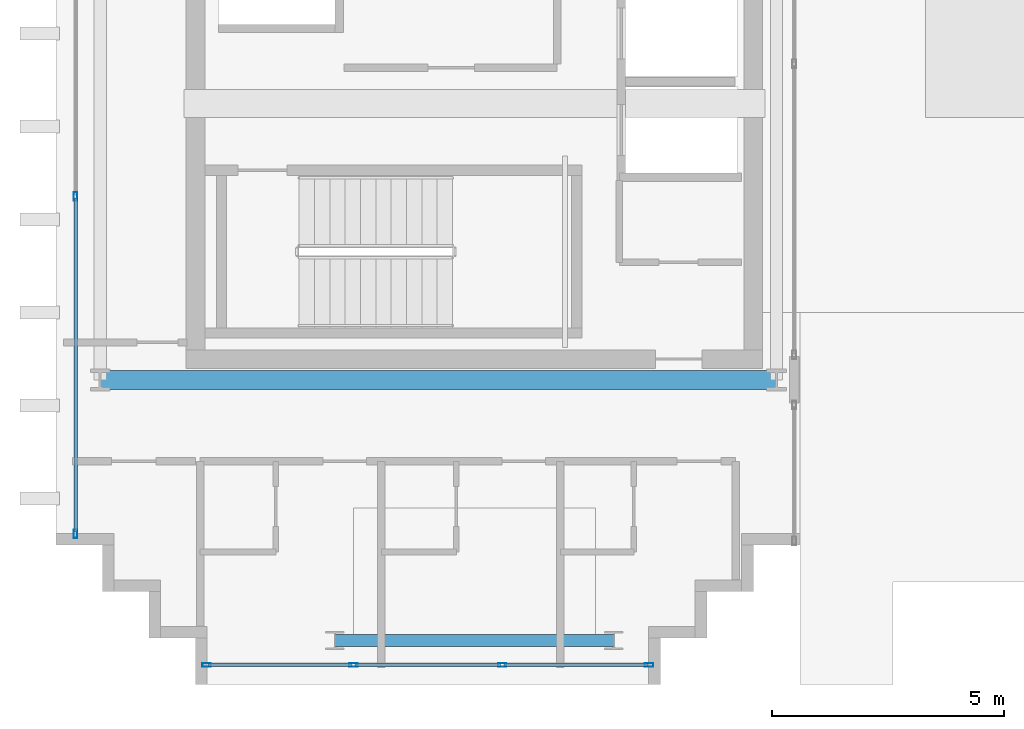
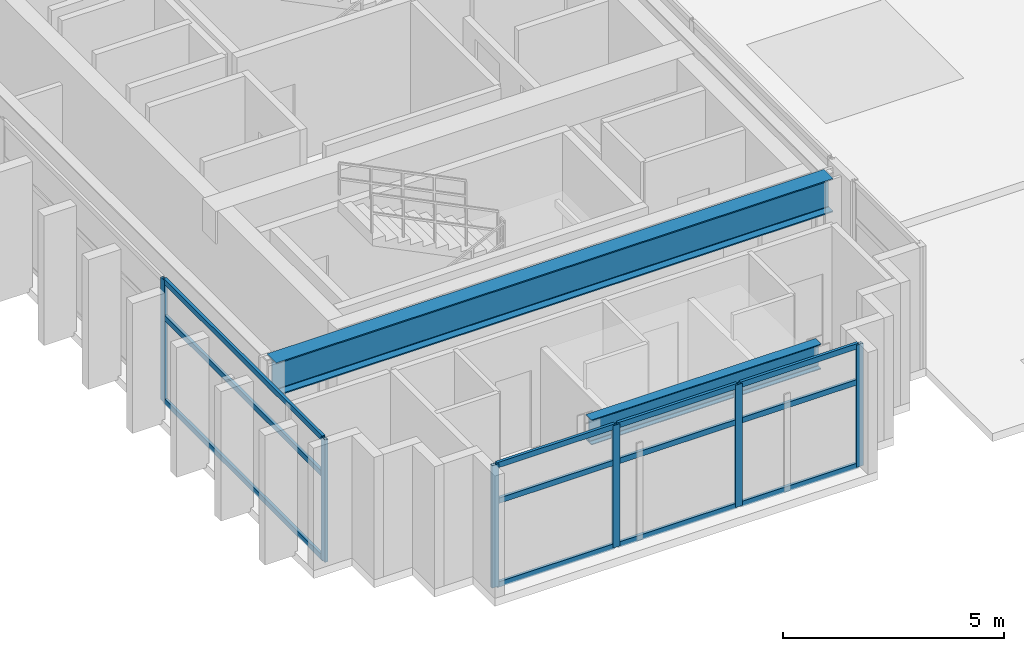
# One storey, part 2 of 25: 18 members, 2 beams, 2 elements without a shape of their own.
"""IFC4 building model written with IfcOpenShell, lengths in metres."""

from ifc_helpers import new_model, si_unit, direction, frame, origin, origin_2d, place, context, subcontext, project, spatial, hollow_rectangle, i_section, extrude, source, transform, mapped, material, layer, layer_set, material_profile, profile_set, type_object, element, aggregate, save


model = new_model("IFC4")

# Units and contexts
model_context = context("Model", 3, precision=1e-05, world=origin(), true_north=direction((0.0, 1.0)))
body_context = subcontext(model_context, "Body", "Model", "MODEL_VIEW")
ifc_project = project(units=[si_unit("LENGTHUNIT", "METRE"), si_unit("AREAUNIT", "SQUARE_METRE"), si_unit("VOLUMEUNIT", "CUBIC_METRE"), si_unit("PLANEANGLEUNIT", "RADIAN"), si_unit("MASSUNIT", "GRAM", prefix="KILO")], contexts=[model_context])

# Site, building, storey
site_placement = place(None, origin())
site = spatial("IfcSite", under=ifc_project, at=site_placement, CompositionType="ELEMENT")
building_placement = place(site_placement, origin())
building = spatial("IfcBuilding", under=site, at=building_placement, Name="Ocotamira Hotel", CompositionType="ELEMENT")
storey_placement = place(building_placement, frame((0.0, 0.0, 250.800048828125)))
storey = spatial("IfcBuildingStorey", under=building, at=storey_placement, Name="L63", CompositionType="ELEMENT", Elevation=250.800048828125)

# Beams
ifc_material_1 = material(Name="Steel ASTM A992 Grade 50", Category="steel")
ifc_material_profile_1 = material_profile(ifc_material_1, i_section(OverallWidth=0.41796875, OverallDepth=0.927001953125, WebThickness=0.019287109375, FlangeThickness=0.031982421875, FilletRadius=0.02392578125, at=origin_2d()), Name="W36X231")
ifc_profile_set_1 = profile_set([ifc_material_profile_1], Name="Steel ASTM A992 Grade 50")
beam_type_1 = type_object("IfcBeamType", Name="BM-GIRD-W36X231", PredefinedType="BEAM", material=ifc_profile_set_1)
shared_shape_1 = source(origin(), body_context, "Body", "SweptSolid", [
    extrude(i_section(OverallWidth=0.41796875, OverallDepth=0.927001953125, WebThickness=0.019287109375, FlangeThickness=0.031982421875, FilletRadius=0.02392578125, at=origin_2d()), origin(), (0.0, 0.0, 1.0), 14.550048828125),
])
beam_1_placement = place(storey_placement, frame((8.949951171875, 14.550048828125, 2.91650390625), z_axis=(1.0, 0.0, 0.0), x_axis=(0.0, 1.0, 0.0)))
element("IfcBeam", 1, at=beam_1_placement, inside=storey, type_object=beam_type_1, Name="L63 Girder Y14.55 X8.95-23.5", PredefinedType="BEAM", context=body_context, shape_type="MappedRepresentation", body=[
    mapped(shared_shape_1, transform((0.0, 0.0, 0.0), scale=1.0)),
])
ifc_material_profile_2 = material_profile(ifc_material_1, i_section(OverallWidth=0.256103515625, OverallDepth=0.693115234375, WebThickness=0.014404296875, FlangeThickness=0.023681640625, FilletRadius=0.01611328125, at=origin_2d()), Name="W27X114")
ifc_profile_set_2 = profile_set([ifc_material_profile_2], Name="Steel ASTM A992 Grade 50")
beam_type_2 = type_object("IfcBeamType", Name="BM-PRIM-W27X114", PredefinedType="BEAM", material=ifc_profile_set_2)
shared_shape_2 = source(origin(), body_context, "Body", "SweptSolid", [
    extrude(i_section(OverallWidth=0.256103515625, OverallDepth=0.693115234375, WebThickness=0.014404296875, FlangeThickness=0.023681640625, FilletRadius=0.01611328125, at=origin_2d()), origin(), (0.0, 0.0, 1.0), 6.0),
])
beam_2_placement = place(storey_placement, frame((14.0, 8.949951171875, 3.033447265625), z_axis=(1.0, 0.0, 0.0), x_axis=(0.0, 1.0, 0.0)))
element("IfcBeam", 2, at=beam_2_placement, inside=storey, type_object=beam_type_2, Name="L63 Girder Y8.95 X14-20", PredefinedType="BEAM", context=body_context, shape_type="MappedRepresentation", body=[
    mapped(shared_shape_2, transform((0.0, 0.0, 0.0), scale=1.0)),
])

# Curtain wall, members
ifc_material_2 = material(Name="Anodised pale-metal aluminium and solar glass", Category="aluminium")
ifc_layer = layer(ifc_material_2, 0.2099609375)
ifc_layer_set = layer_set([ifc_layer], Name="Anodised pale-metal aluminium and solar glass")
curtain_wall_type = type_object("IfcCurtainWallType", Name="CW-SYS7-PEAK", PredefinedType="NOTDEFINED", material=ifc_layer_set)
curtain_wall_1_placement = place(storey_placement, origin())
curtain_wall_1 = element("IfcCurtainWall", 3, at=curtain_wall_1_placement, inside=storey, type_object=curtain_wall_type, Name="L63 Curtain Wall CW-7 CW-L63-WS", PredefinedType="NOTDEFINED")
ifc_material_3 = material(Name="Anodised pale-metal aluminium 6063-T6", Category="aluminium")
ifc_material_profile_3 = material_profile(ifc_material_3, hollow_rectangle(XDim=0.080078125, YDim=0.179931640625, WallThickness=0.006103515625, at=origin_2d()), Name="HSS180X80X6")
ifc_profile_set_3 = profile_set([ifc_material_profile_3], Name="Anodised pale-metal aluminium 6063-T6")
member_type_1 = type_object("IfcMemberType", Name="CWM-180X75", PredefinedType="MULLION", material=ifc_profile_set_3)
shared_shape_3 = source(origin(), body_context, "Body", "SweptSolid", [
    extrude(hollow_rectangle(XDim=0.080078125, YDim=0.179931640625, WallThickness=0.006103515625, at=origin_2d()), origin(), (0.0, 0.0, 1.0), 3.3798828125),
])
member_1_placement = place(storey_placement, frame((11.239990234375, 8.419921875, 0.0), z_axis=(0.0, 0.0, 1.0), x_axis=(0.0, 1.0, 0.0)))
member_1 = element("IfcMember", 4, at=member_1_placement, type_object=member_type_1, Name="CW-7 mullion 1", PredefinedType="MULLION", context=body_context, shape_type="MappedRepresentation", body=[
    mapped(shared_shape_3, transform((0.0, 0.0, 0.0), scale=1.0)),
])
member_2_placement = place(storey_placement, frame((14.39990234375, 8.419921875, 0.0), z_axis=(0.0, 0.0, 1.0), x_axis=(0.0, 1.0, 0.0)))
member_2 = element("IfcMember", 5, at=member_2_placement, type_object=member_type_1, Name="CW-7 mullion 2", PredefinedType="MULLION", context=body_context, shape_type="MappedRepresentation", body=[
    mapped(shared_shape_3, transform((0.0, 0.0, 0.0), scale=1.0)),
])
member_3_placement = place(storey_placement, frame((17.60009765625, 8.419921875, 0.0), z_axis=(0.0, 0.0, 1.0), x_axis=(0.0, 1.0, 0.0)))
member_3 = element("IfcMember", 6, at=member_3_placement, type_object=member_type_1, Name="CW-7 mullion 3", PredefinedType="MULLION", context=body_context, shape_type="MappedRepresentation", body=[
    mapped(shared_shape_3, transform((0.0, 0.0, 0.0), scale=1.0)),
])
member_4_placement = place(storey_placement, frame((20.760009765625, 8.419921875, 0.0), z_axis=(0.0, 0.0, 1.0), x_axis=(0.0, 1.0, 0.0)))
member_4 = element("IfcMember", 7, at=member_4_placement, type_object=member_type_1, Name="CW-7 mullion 4", PredefinedType="MULLION", context=body_context, shape_type="MappedRepresentation", body=[
    mapped(shared_shape_3, transform((0.0, 0.0, 0.0), scale=1.0)),
])

curtain_wall_2_placement = place(storey_placement, origin())
curtain_wall_2 = element("IfcCurtainWall", 8, at=curtain_wall_2_placement, inside=storey, type_object=curtain_wall_type, Name="L63 Curtain Wall CW-7 CW-L63-WO1", PredefinedType="NOTDEFINED")
member_5_placement = place(storey_placement, frame((8.419921875, 11.239990234375, 0.0), z_axis=(0.0, 0.0, 1.0), x_axis=(-1.0, 0.0, 0.0)))
member_5 = element("IfcMember", 9, at=member_5_placement, type_object=member_type_1, Name="CW-7 mullion 1", PredefinedType="MULLION", context=body_context, shape_type="MappedRepresentation", body=[
    mapped(shared_shape_3, transform((0.0, 0.0, 0.0), scale=1.0)),
])
member_6_placement = place(storey_placement, frame((8.419921875, 18.5, 0.0), z_axis=(0.0, 0.0, 1.0), x_axis=(-1.0, 0.0, 0.0)))
member_6 = element("IfcMember", 10, at=member_6_placement, type_object=member_type_1, Name="CW-7 mullion 2", PredefinedType="MULLION", context=body_context, shape_type="MappedRepresentation", body=[
    mapped(shared_shape_3, transform((0.0, 0.0, 0.0), scale=1.0)),
])

# Member
ifc_material_profile_4 = material_profile(ifc_material_3, hollow_rectangle(XDim=0.074951171875, YDim=0.14990234375, WallThickness=0.006103515625, at=origin_2d()), Name="HSS150X75X6")
ifc_profile_set_4 = profile_set([ifc_material_profile_4], Name="Anodised pale-metal aluminium 6063-T6")
member_type_2 = type_object("IfcMemberType", Name="CWT-150X75", PredefinedType="USERDEFINED", material=ifc_profile_set_4)
shared_shape_4 = source(origin(), body_context, "Body", "SweptSolid", [
    extrude(hollow_rectangle(XDim=0.074951171875, YDim=0.14990234375, WallThickness=0.006103515625, at=origin_2d()), origin(), (0.0, 0.0, 1.0), 3.080078125),
])
member_7_placement = place(storey_placement, frame((11.280029296875, 8.419921875, 0.037353515625), z_axis=(1.0, 0.0, 0.0), x_axis=(0.0, 1.0, 0.0)))
member_7 = element("IfcMember", 11, at=member_7_placement, type_object=member_type_2, Name="CW-7 transom 1.1", ObjectType="TRANSOM", PredefinedType="USERDEFINED", context=body_context, shape_type="MappedRepresentation", body=[
    mapped(shared_shape_4, transform((0.0, 0.0, 0.0), scale=1.0)),
])

member_8_placement = place(storey_placement, frame((11.280029296875, 8.419921875, 2.349853515625), z_axis=(1.0, 0.0, 0.0), x_axis=(0.0, 1.0, 0.0)))
member_8 = element("IfcMember", 12, at=member_8_placement, type_object=member_type_2, Name="CW-7 transom 1.2", ObjectType="TRANSOM", PredefinedType="USERDEFINED", context=body_context, shape_type="MappedRepresentation", body=[
    mapped(shared_shape_4, transform((0.0, 0.0, 0.0), scale=1.0)),
])

member_9_placement = place(storey_placement, frame((11.280029296875, 8.419921875, 3.342529296875), z_axis=(1.0, 0.0, 0.0), x_axis=(0.0, 1.0, 0.0)))
member_9 = element("IfcMember", 13, at=member_9_placement, type_object=member_type_2, Name="CW-7 transom 1.3", ObjectType="TRANSOM", PredefinedType="USERDEFINED", context=body_context, shape_type="MappedRepresentation", body=[
    mapped(shared_shape_4, transform((0.0, 0.0, 0.0), scale=1.0)),
])

member_10_placement = place(storey_placement, frame((17.639892578125, 8.419921875, 0.037353515625), z_axis=(1.0, 0.0, 0.0), x_axis=(0.0, 1.0, 0.0)))
member_10 = element("IfcMember", 14, at=member_10_placement, type_object=member_type_2, Name="CW-7 transom 3.1", ObjectType="TRANSOM", PredefinedType="USERDEFINED", context=body_context, shape_type="MappedRepresentation", body=[
    mapped(shared_shape_4, transform((0.0, 0.0, 0.0), scale=1.0)),
])

member_11_placement = place(storey_placement, frame((17.639892578125, 8.419921875, 2.349853515625), z_axis=(1.0, 0.0, 0.0), x_axis=(0.0, 1.0, 0.0)))
member_11 = element("IfcMember", 15, at=member_11_placement, type_object=member_type_2, Name="CW-7 transom 3.2", ObjectType="TRANSOM", PredefinedType="USERDEFINED", context=body_context, shape_type="MappedRepresentation", body=[
    mapped(shared_shape_4, transform((0.0, 0.0, 0.0), scale=1.0)),
])

member_12_placement = place(storey_placement, frame((17.639892578125, 8.419921875, 3.342529296875), z_axis=(1.0, 0.0, 0.0), x_axis=(0.0, 1.0, 0.0)))
member_12 = element("IfcMember", 16, at=member_12_placement, type_object=member_type_2, Name="CW-7 transom 3.3", ObjectType="TRANSOM", PredefinedType="USERDEFINED", context=body_context, shape_type="MappedRepresentation", body=[
    mapped(shared_shape_4, transform((0.0, 0.0, 0.0), scale=1.0)),
])

shared_shape_5 = source(origin(), body_context, "Body", "SweptSolid", [
    extrude(hollow_rectangle(XDim=0.074951171875, YDim=0.14990234375, WallThickness=0.006103515625, at=origin_2d()), origin(), (0.0, 0.0, 1.0), 3.1201171875),
])
member_13_placement = place(storey_placement, frame((14.43994140625, 8.419921875, 0.037353515625), z_axis=(1.0, 0.0, 0.0), x_axis=(0.0, 1.0, 0.0)))
member_13 = element("IfcMember", 17, at=member_13_placement, type_object=member_type_2, Name="CW-7 transom 2.1", ObjectType="TRANSOM", PredefinedType="USERDEFINED", context=body_context, shape_type="MappedRepresentation", body=[
    mapped(shared_shape_5, transform((0.0, 0.0, 0.0), scale=1.0)),
])

member_14_placement = place(storey_placement, frame((14.43994140625, 8.419921875, 2.349853515625), z_axis=(1.0, 0.0, 0.0), x_axis=(0.0, 1.0, 0.0)))
member_14 = element("IfcMember", 18, at=member_14_placement, type_object=member_type_2, Name="CW-7 transom 2.2", ObjectType="TRANSOM", PredefinedType="USERDEFINED", context=body_context, shape_type="MappedRepresentation", body=[
    mapped(shared_shape_5, transform((0.0, 0.0, 0.0), scale=1.0)),
])

member_15_placement = place(storey_placement, frame((14.43994140625, 8.419921875, 3.342529296875), z_axis=(1.0, 0.0, 0.0), x_axis=(0.0, 1.0, 0.0)))
member_15 = element("IfcMember", 19, at=member_15_placement, type_object=member_type_2, Name="CW-7 transom 2.3", ObjectType="TRANSOM", PredefinedType="USERDEFINED", context=body_context, shape_type="MappedRepresentation", body=[
    mapped(shared_shape_5, transform((0.0, 0.0, 0.0), scale=1.0)),
])

aggregate(curtain_wall_1, [member_1, member_2, member_3, member_4, member_7, member_8, member_9, member_13, member_14, member_15, member_10, member_11, member_12])

shared_shape_6 = source(origin(), body_context, "Body", "SweptSolid", [
    extrude(hollow_rectangle(XDim=0.074951171875, YDim=0.14990234375, WallThickness=0.006103515625, at=origin_2d()), origin(), (0.0, 0.0, 1.0), 7.179931640625),
])
member_16_placement = place(storey_placement, frame((8.419921875, 11.280029296875, 0.037353515625), z_axis=(0.0, 1.0, 0.0), x_axis=(-1.0, 0.0, 0.0)))
member_16 = element("IfcMember", 20, at=member_16_placement, type_object=member_type_2, Name="CW-7 transom 1.1", ObjectType="TRANSOM", PredefinedType="USERDEFINED", context=body_context, shape_type="MappedRepresentation", body=[
    mapped(shared_shape_6, transform((0.0, 0.0, 0.0), scale=1.0)),
])

member_17_placement = place(storey_placement, frame((8.419921875, 11.280029296875, 2.349853515625), z_axis=(0.0, 1.0, 0.0), x_axis=(-1.0, 0.0, 0.0)))
member_17 = element("IfcMember", 21, at=member_17_placement, type_object=member_type_2, Name="CW-7 transom 1.2", ObjectType="TRANSOM", PredefinedType="USERDEFINED", context=body_context, shape_type="MappedRepresentation", body=[
    mapped(shared_shape_6, transform((0.0, 0.0, 0.0), scale=1.0)),
])

member_18_placement = place(storey_placement, frame((8.419921875, 11.280029296875, 3.342529296875), z_axis=(0.0, 1.0, 0.0), x_axis=(-1.0, 0.0, 0.0)))
member_18 = element("IfcMember", 22, at=member_18_placement, type_object=member_type_2, Name="CW-7 transom 1.3", ObjectType="TRANSOM", PredefinedType="USERDEFINED", context=body_context, shape_type="MappedRepresentation", body=[
    mapped(shared_shape_6, transform((0.0, 0.0, 0.0), scale=1.0)),
])

aggregate(curtain_wall_2, [member_5, member_6, member_16, member_17, member_18])

save(model, "model.ifc")
